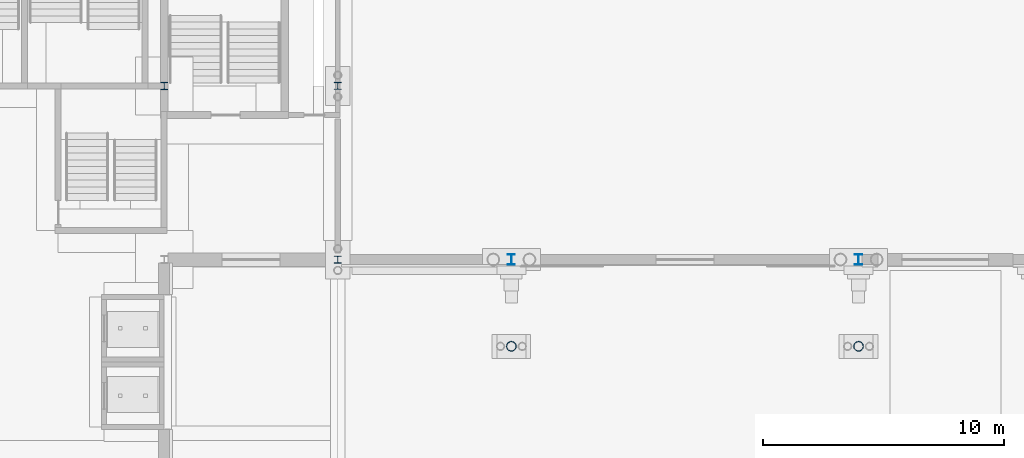
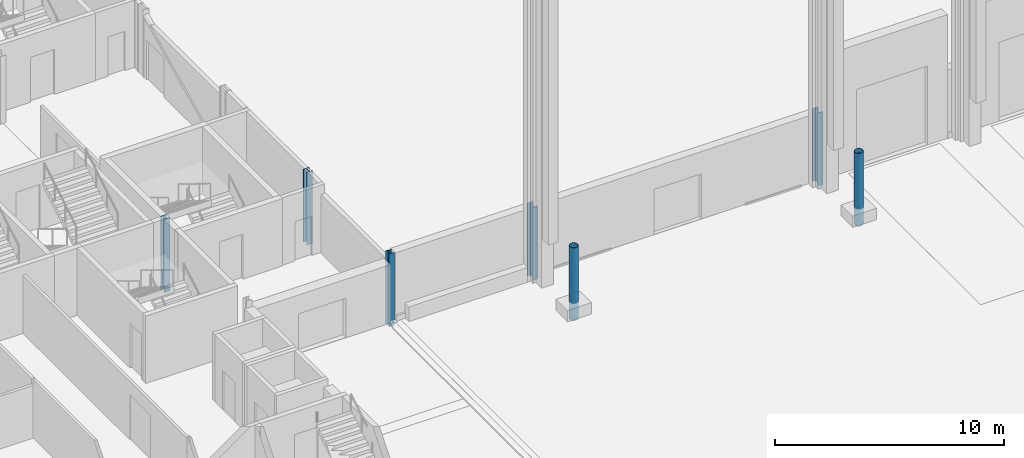
# One storey, part 42 of 148: 7 columns.
"""IFC4 building model written with IfcOpenShell, lengths in metres."""

import ifcopenshell
import ifcopenshell.guid

model = None  # the IFC model being written
_history = None  # IfcOwnerHistory: only IFC2X3 demands one
_inside = {}  # id of a spatial element -> (the spatial element, [elements in it])
_under = {}  # id of a project, library or spatial element -> (it, [spatial elements below it])
_declared = {}  # id of a project -> (the project, [libraries it declares])
_typed = {}  # id of a type object -> (the type object, [elements of that type])
_made_of = {}  # id of a material, layer set ... -> (it, [elements and type objects made of it])


def new_model(schema):
    """Start an empty IFC model of exactly this schema.

    Asked for "IFC4X3", IfcOpenShell would pick the latest addendum, in which some entities
    have other attributes; the version numbers below select the first issue.
    IFC2X3 requires an IfcOwnerHistory on every rooted entity: one is made here for all.
    """
    global model, _history
    if schema == "IFC4X3":
        model = ifcopenshell.file(schema_version=(4, 3, 0, 0))
    else:
        model = ifcopenshell.file(schema=schema)
    _inside.clear()
    _under.clear()
    _declared.clear()
    _typed.clear()
    _made_of.clear()
    _history = None
    if model.schema == "IFC2X3":
        org = make("IfcOrganization", Name="unknown")
        user = make(
            "IfcPersonAndOrganization",
            ThePerson=make("IfcPerson", FamilyName="unknown"),
            TheOrganization=org,
        )
        app = make(
            "IfcApplication",
            ApplicationDeveloper=org,
            Version="unknown",
            ApplicationFullName="unknown",
            ApplicationIdentifier="unknown",
        )
        _history = make(
            "IfcOwnerHistory",
            OwningUser=user,
            OwningApplication=app,
            ChangeAction="ADDED",
            CreationDate=0,
        )
    return model


def make(cls, **values):
    """One entity of the class cls with the attributes given. An attribute that is None is left unset."""
    return model.create_entity(
        cls, **{name: value for name, value in values.items() if value is not None}
    )


def rooted(cls, **values):
    """An entity with a GlobalId (a new one), such as an element, a storey or a relation."""
    return make(cls, GlobalId=ifcopenshell.guid.new(), OwnerHistory=_history, **values)


def si_unit(unit_type, name, prefix=None):
    """IfcSIUnit, for example si_unit("LENGTHUNIT", "METRE", prefix="MILLI")."""
    return make("IfcSIUnit", UnitType=unit_type, Prefix=prefix, Name=name)


def assignment(units):
    """IfcUnitAssignment: the units of a project."""
    return None if units is None else make("IfcUnitAssignment", Units=units)


def point(xyz):
    """IfcCartesianPoint."""
    return None if xyz is None else make("IfcCartesianPoint", Coordinates=xyz)


def direction(xyz):
    """IfcDirection."""
    return None if xyz is None else make("IfcDirection", DirectionRatios=xyz)


def frame(location, z_axis=None, x_axis=None):
    """IfcAxis2Placement3D, a coordinate frame: its origin and axes. An axis left out is left unset."""
    return make(
        "IfcAxis2Placement3D",
        Location=point(location),
        Axis=direction(z_axis),
        RefDirection=direction(x_axis),
    )


def frame_2d(location, x_axis=None):
    """IfcAxis2Placement2D, a coordinate frame in the plane: its origin and x axis."""
    return make(
        "IfcAxis2Placement2D", Location=point(location), RefDirection=direction(x_axis)
    )


def origin():
    """The frame at (0, 0, 0) with its axes left unset."""
    return frame((0.0, 0.0, 0.0))


def origin_2d():
    """The frame at (0, 0) in the plane with its x axis left unset."""
    return frame_2d((0.0, 0.0))


def place(relative_to, where):
    """IfcLocalPlacement: puts the frame where relative to a parent placement (None: the world)."""
    return make(
        "IfcLocalPlacement", PlacementRelTo=relative_to, RelativePlacement=where
    )


def context(
    kind, dimensions, precision=None, world=None, true_north=None, identifier=None
):
    """IfcGeometricRepresentationContext, for example the 3D "Model" context."""
    return make(
        "IfcGeometricRepresentationContext",
        ContextIdentifier=identifier,
        ContextType=kind,
        CoordinateSpaceDimension=dimensions,
        Precision=precision,
        WorldCoordinateSystem=world,
        TrueNorth=true_north,
    )


def subcontext(parent, identifier, kind, view, scale=None):
    """IfcGeometricRepresentationSubContext, for example "Body" below "Model"."""
    return make(
        "IfcGeometricRepresentationSubContext",
        ContextIdentifier=identifier,
        ContextType=kind,
        ParentContext=parent,
        TargetScale=scale,
        TargetView=view,
    )


def project(units=None, contexts=None):
    """IfcProject with its units and contexts."""
    return rooted(
        "IfcProject",
        Name="project",
        RepresentationContexts=contexts,
        UnitsInContext=assignment(units),
    )


def spatial(cls, under=None, at=None, **own):
    """A site, building, storey or space (cls), placed at a placement, below another one or the project."""
    s = rooted(cls, ObjectPlacement=at, **own)
    if under is not None:
        _under.setdefault(under.id(), (under, []))[1].append(s)
    return s


def profile(cls, at=None, kind="AREA", **sizes):
    """A parametric profile (cls). Its sizes go by their IFC names, for example OverallWidth=200.0."""
    return make(cls, ProfileType=kind, Position=at, **sizes)


def hollow_circle(**sizes):
    """IfcCircleHollowProfileDef."""
    return profile("IfcCircleHollowProfileDef", **sizes)


def i_section(**sizes):
    """IfcIShapeProfileDef."""
    return profile("IfcIShapeProfileDef", **sizes)


def extrude(swept, where, along, depth):
    """IfcExtrudedAreaSolid: the profile swept, set in the frame where, extruded along a direction by depth."""
    return make(
        "IfcExtrudedAreaSolid",
        SweptArea=swept,
        Position=where,
        ExtrudedDirection=direction(along),
        Depth=depth,
    )


def shape(context_of_items, identifier, shape_type, items):
    """IfcShapeRepresentation: the items that make up one representation, for example the "Body"."""
    return make(
        "IfcShapeRepresentation",
        ContextOfItems=context_of_items,
        RepresentationIdentifier=identifier,
        RepresentationType=shape_type,
        Items=items,
    )


def material(Name=None, Category=None):
    """IfcMaterial."""
    return make("IfcMaterial", Name=Name, Category=Category)


def material_profile(
    of_material, cross_section, Name=None, Category=None, Priority=None
):
    """IfcMaterialProfile: a cross section and its material."""
    return make(
        "IfcMaterialProfile",
        Name=Name,
        Material=of_material,
        Profile=cross_section,
        Priority=Priority,
        Category=Category,
    )


def profile_set(profiles, Name=None, composite=None):
    """IfcMaterialProfileSet."""
    return make(
        "IfcMaterialProfileSet",
        Name=Name,
        MaterialProfiles=profiles,
        CompositeProfile=composite,
    )


def made_of(thing, what):
    """Note that an element or type object is made of a material, layer set ...; save() writes the relation."""
    if what is not None:
        _made_of.setdefault(what.id(), (what, []))[1].append(thing)
    return thing


def type_object(cls, material=None, **own):
    """A type object (cls), such as IfcWallType, which elements share."""
    return made_of(rooted(cls, **own), material)


def element(
    cls,
    number,
    at=None,
    inside=None,
    cuts=None,
    type_object=None,
    material=None,
    context=None,
    identifier="Body",
    shape_type=None,
    held_by="IfcProductDefinitionShape",
    body=None,
    shapes=None,
    **own,
):
    """One element of the class cls, such as IfcWall. Its Tag is "e" and its number.

    at: its placement. inside: the storey or other place that contains it. cuts: it is an
    opening in that element (IfcRelVoidsElement). A single representation is given by context,
    identifier, shape_type and body (its items); several are given by shapes. held_by: the class
    of the entity that holds the representations. save() writes the other relations.
    """
    e = rooted(cls, Tag="e%d" % number, ObjectPlacement=at, **own)
    if body is not None:
        shapes = [shape(context, identifier, shape_type, body)]
    if shapes is not None:
        e.Representation = make(held_by, Representations=shapes)
    if inside is not None:
        _inside.setdefault(inside.id(), (inside, []))[1].append(e)
    if cuts is not None:
        rooted(
            "IfcRelVoidsElement", RelatingBuildingElement=cuts, RelatedOpeningElement=e
        )
    if type_object is not None:
        _typed.setdefault(type_object.id(), (type_object, []))[1].append(e)
    return made_of(e, material)


def aggregate(whole, parts):
    """IfcRelAggregates: a whole, such as a stair, and the parts it consists of."""
    return rooted("IfcRelAggregates", RelatingObject=whole, RelatedObjects=parts)


def save(model, path):
    """Write the relations noted so far, then the file.

    IfcRelAggregates (storeys below a building ...), IfcRelContainedInSpatialStructure (elements
    in a storey), IfcRelDefinesByType, IfcRelAssociatesMaterial and IfcRelDeclares: one each for
    every whole, place, type object, material and project.
    """
    for whole, parts in _under.values():
        aggregate(whole, parts)
    for where, things in _inside.values():
        rooted(
            "IfcRelContainedInSpatialStructure",
            RelatedElements=things,
            RelatingStructure=where,
        )
    for kind, things in _typed.values():
        rooted("IfcRelDefinesByType", RelatedObjects=things, RelatingType=kind)
    for what, things in _made_of.values():
        rooted("IfcRelAssociatesMaterial", RelatedObjects=things, RelatingMaterial=what)
    for by, libraries in _declared.values():
        rooted("IfcRelDeclares", RelatingContext=by, RelatedDefinitions=libraries)
    model.write(path)


model = new_model("IFC4")

# Units and contexts
model_context = context("Model", 3, precision=1e-05, world=origin(), true_north=direction((0.0, 1.0)))
body_context = subcontext(model_context, "Body", "Model", "MODEL_VIEW")
ifc_project = project(units=[si_unit("LENGTHUNIT", "METRE"), si_unit("AREAUNIT", "SQUARE_METRE"), si_unit("VOLUMEUNIT", "CUBIC_METRE"), si_unit("PLANEANGLEUNIT", "RADIAN"), si_unit("MASSUNIT", "GRAM", prefix="KILO")], contexts=[model_context])

# Site, building, storey
site_placement = place(None, origin())
site = spatial("IfcSite", under=ifc_project, at=site_placement, CompositionType="ELEMENT")
building_placement = place(site_placement, origin())
building = spatial("IfcBuilding", under=site, at=building_placement, Name="Kupolbacken Congress Centre", CompositionType="ELEMENT")
storey_placement = place(building_placement, origin())
storey = spatial("IfcBuildingStorey", under=building, at=storey_placement, Name="L00", CompositionType="ELEMENT", Elevation=0.0)

# Columns
ifc_material_1 = material(Name="Steel S355", Category="steel")
ifc_material_profile_1 = material_profile(ifc_material_1, i_section(OverallWidth=0.300048828125, OverallDepth=0.300048828125, WebThickness=0.010986328125, FlangeThickness=0.01904296875, FilletRadius=0.027099609375, at=origin_2d()), Name="HEB 300")
ifc_profile_set_1 = profile_set([ifc_material_profile_1], Name="Steel S355")
column_type_1 = type_object("IfcColumnType", Name="C06 column HEB 300", PredefinedType="COLUMN", material=ifc_profile_set_1)
column_placement = place(storey_placement, frame((79.199951171875, 50.39990234375, -0.300048828125), z_axis=(0.0, 0.0, 1.0), x_axis=(1.0, 0.0, 0.0)))
element("IfcColumn", 1, at=column_placement, inside=storey, type_object=column_type_1, Name="S/col/C-F-12H/L00", PredefinedType="COLUMN", context=body_context, shape_type="SweptSolid", body=[
    extrude(i_section(OverallWidth=0.300048828125, OverallDepth=0.300048828125, WebThickness=0.010986328125, FlangeThickness=0.01904296875, FilletRadius=0.027099609375, at=origin_2d()), origin(), (0.0, 0.0, 1.0), 3.900146484375),
])
ifc_material_2 = material(Name="Steel S355", Category="steel")
ifc_material_profile_2 = material_profile(ifc_material_2, i_section(OverallWidth=0.300048828125, OverallDepth=0.43994140625, WebThickness=0.011474609375, FlangeThickness=0.02099609375, FilletRadius=0.027099609375, at=origin_2d()), Name="HEA 450")
ifc_profile_set_2 = profile_set([ifc_material_profile_2], Name="Steel S355")
column_type_2 = type_object("IfcColumnType", Name="C07 column HEA 450", PredefinedType="COLUMN", material=ifc_profile_set_2)
for number, where, z_axis, x_axis, name in (
    (2, (93.60009765625, 43.199951171875, -0.300048828125), (0.0, 0.0, 1.0), (1.0, 0.0, 0.0), "S/col/C-H-T1S/L00"),
    (3, (108.0, 43.199951171875, -0.300048828125), (0.0, 0.0, 1.0), (1.0, 0.0, 0.0), "S/col/C-H-T2S/L00"),
):
    element("IfcColumn", number, at=place(storey_placement, frame(where, z_axis=z_axis, x_axis=x_axis)), inside=storey, type_object=column_type_2, Name=name, PredefinedType="COLUMN", context=body_context, shape_type="SweptSolid", body=[
        extrude(i_section(OverallWidth=0.300048828125, OverallDepth=0.43994140625, WebThickness=0.011474609375, FlangeThickness=0.02099609375, FilletRadius=0.027099609375, at=origin_2d()), origin(), (0.0, 0.0, 1.0), 3.900146484375),
    ])
ifc_material_3 = material(Name="Steel S355", Category="steel")
ifc_material_profile_3 = material_profile(ifc_material_3, i_section(OverallWidth=0.300048828125, OverallDepth=0.2900390625, WebThickness=0.008544921875, FlangeThickness=0.013916015625, FilletRadius=0.027099609375, at=origin_2d()), Name="HEA 300")
ifc_profile_set_3 = profile_set([ifc_material_profile_3], Name="Steel S355")
column_type_3 = type_object("IfcColumnType", Name="C09 column HEA 300", PredefinedType="COLUMN", material=ifc_profile_set_3)
for number, where, z_axis, x_axis, name in (
    (4, (86.39990234375, 43.199951171875, -0.300048828125), (0.0, 0.0, 1.0), (1.0, 0.0, 0.0), "S/col/C-H-PW01/L00"),
    (5, (86.39990234375, 50.39990234375, -0.300048828125), (0.0, 0.0, 1.0), (1.0, 0.0, 0.0), "S/col/C-H-PW02/L00"),
):
    element("IfcColumn", number, at=place(storey_placement, frame(where, z_axis=z_axis, x_axis=x_axis)), inside=storey, type_object=column_type_3, Name=name, PredefinedType="COLUMN", context=body_context, shape_type="SweptSolid", body=[
        extrude(i_section(OverallWidth=0.300048828125, OverallDepth=0.2900390625, WebThickness=0.008544921875, FlangeThickness=0.013916015625, FilletRadius=0.027099609375, at=origin_2d()), origin(), (0.0, 0.0, 1.0), 3.900146484375),
    ])
ifc_material_4 = material(Name="Steel S355", Category="steel")
ifc_material_profile_4 = material_profile(ifc_material_4, hollow_circle(Radius=0.203125, WallThickness=0.01611328125, at=origin_2d()), Name="CHS 406.4 x 16")
ifc_profile_set_4 = profile_set([ifc_material_profile_4], Name="Steel S355")
column_type_4 = type_object("IfcColumnType", Name="C15 roof mast CHS 406.4 x 16", PredefinedType="COLUMN", material=ifc_profile_set_4)
for number, where, z_axis, x_axis, name in (
    (6, (93.60009765625, 39.60009765625, -0.300048828125), (0.0, 0.0, 1.0), (1.0, 0.0, 0.0), "Roof mast M1S"),
    (7, (108.0, 39.60009765625, -0.300048828125), (0.0, 0.0, 1.0), (1.0, 0.0, 0.0), "Roof mast M2S"),
):
    element("IfcColumn", number, at=place(storey_placement, frame(where, z_axis=z_axis, x_axis=x_axis)), inside=storey, type_object=column_type_4, Name=name, PredefinedType="COLUMN", context=body_context, shape_type="SweptSolid", body=[
        extrude(hollow_circle(Radius=0.203125, WallThickness=0.01611328125, at=origin_2d()), origin(), (0.0, 0.0, 1.0), 3.900146484375),
    ])

save(model, "model.ifc")
